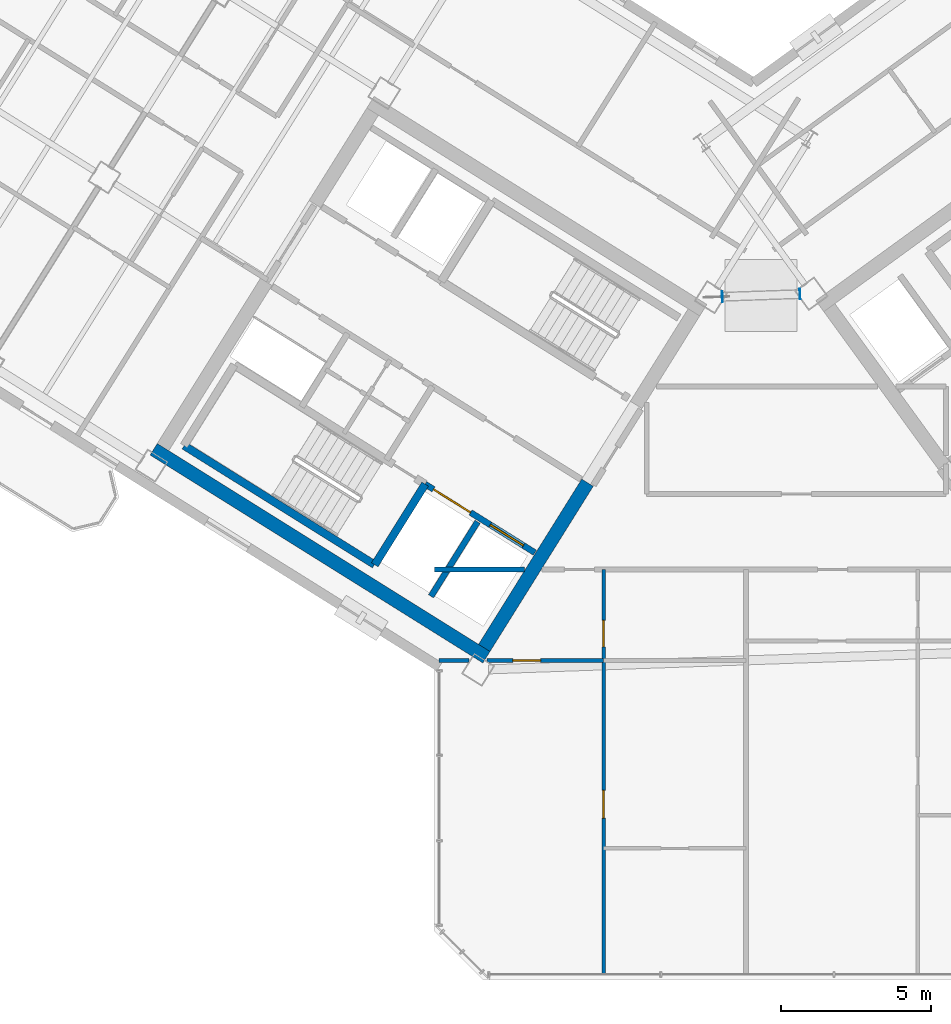
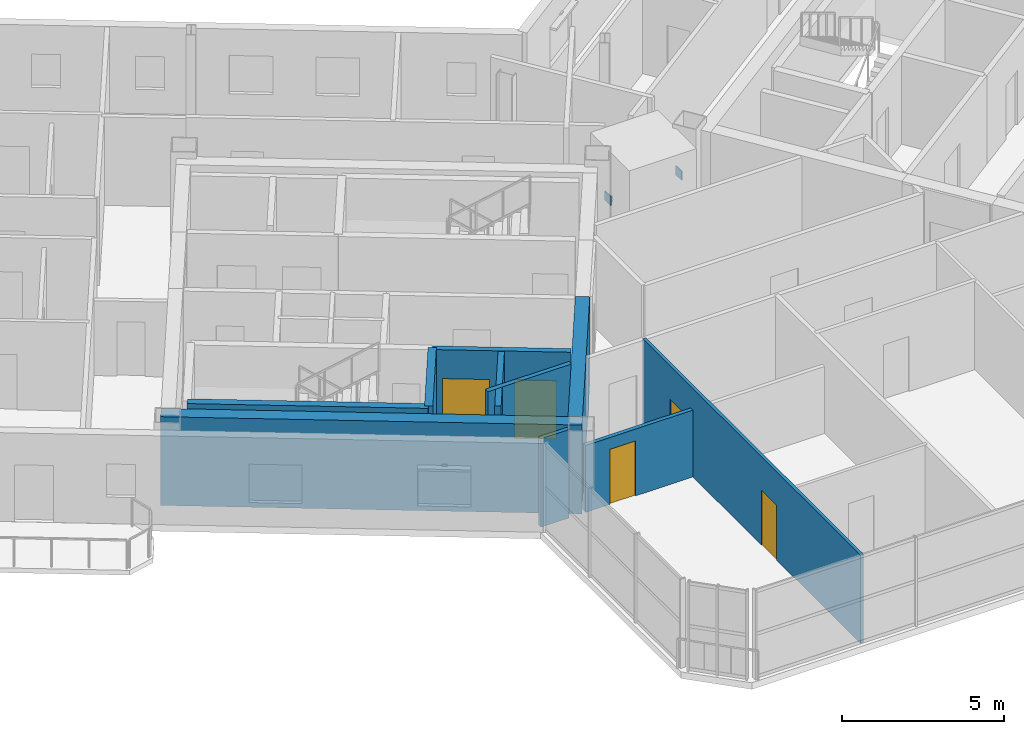
# One storey, part 12 of 23: 10 walls, 5 doors, 2 plates, 5 openings.
"""IFC4 building model written with IfcOpenShell, lengths in metres."""

from ifc_helpers import new_model, si_unit, direction, frame, frame_2d, origin, origin_2d, place, context, subcontext, project, spatial, rectangle, extrude, source, transform, mapped, material, layer, layer_set, type_object, element, fill, save


model = new_model("IFC4")

# Units and contexts
model_context = context("Model", 3, precision=1e-05, world=origin(), true_north=direction((0.0, 1.0)))
body_context = subcontext(model_context, "Body", "Model", "MODEL_VIEW")
ifc_project = project(units=[si_unit("LENGTHUNIT", "METRE"), si_unit("AREAUNIT", "SQUARE_METRE"), si_unit("VOLUMEUNIT", "CUBIC_METRE"), si_unit("PLANEANGLEUNIT", "RADIAN"), si_unit("MASSUNIT", "GRAM", prefix="KILO")], contexts=[model_context])

# Site, building, storey
site_placement = place(None, origin())
site = spatial("IfcSite", under=ifc_project, at=site_placement, CompositionType="ELEMENT")
building_placement = place(site_placement, origin())
building = spatial("IfcBuilding", under=site, at=building_placement, Name="Tlacorven Tower", CompositionType="ELEMENT")
storey_placement = place(building_placement, frame((0.0, 0.0, 218.39990234375)))
storey = spatial("IfcBuildingStorey", under=building, at=storey_placement, Name="L55", CompositionType="ELEMENT", Elevation=218.39990234375)

# Plates
ifc_material_1 = material(Name="Steel S460M", Category="steel")
ifc_layer_1 = layer(ifc_material_1, 0.02392578125)
ifc_layer_set_1 = layer_set([ifc_layer_1], Name="Steel S460M")
plate_type = type_object("IfcPlateType", Name="PL-CAP-END1", PredefinedType="USERDEFINED", material=ifc_layer_set_1)
shared_shape_1 = source(origin(), body_context, "Body", "SweptSolid", [
    extrude(rectangle(XDim=0.02392578125, YDim=0.35302734375, at=origin_2d()), origin(), (0.0, 0.0, 1.0), 0.35302734375),
])
for number, where, z_axis, x_axis, name in (
    (1, (41.162841796875, 24.481689453125, 1.573486328125), (0.0, 0.0, 1.0), (0.999390830681, 0.034899391837, 0.0), "L55 hollow end cap plate TRB-L55-RING 1"),
    (2, (43.743896484375, 24.57177734375, 1.573486328125), (0.0, 0.0, 1.0), (0.999390830681, 0.034899391837, 0.0), "L55 hollow end cap plate TRB-L55-RING 2"),
):
    element("IfcPlate", number, at=place(storey_placement, frame(where, z_axis=z_axis, x_axis=x_axis)), inside=storey, type_object=plate_type, Name=name, ObjectType="END PLATE", PredefinedType="USERDEFINED", context=body_context, shape_type="MappedRepresentation", body=[
        mapped(shared_shape_1, transform((0.0, 0.0, 0.0), scale=1.0)),
    ])

# Walls
ifc_material_2 = material(Name="Concrete C50/60", Category="concrete")
ifc_layer_2 = layer(ifc_material_2, 0.449951171875)
ifc_layer_set_2 = layer_set([ifc_layer_2], Name="Concrete C50/60")
wall_type_1 = type_object("IfcWallType", Name="WL-COR-450", PredefinedType="SHEAR", material=ifc_layer_set_2)
wall_1_placement = place(storey_placement, frame((33.32373046875, 12.5029296875, 0.0), z_axis=(0.0, 0.0, 1.0), x_axis=(-0.848043529849, 0.529926571782, 0.0)))
element("IfcWall", 3, at=wall_1_placement, inside=storey, type_object=wall_type_1, Name="L55 W core shear wall S2", PredefinedType="SHEAR", context=body_context, shape_type="SweptSolid", body=[
    extrude(rectangle(XDim=13.039794921875, YDim=0.449951171875, at=frame_2d((6.52001953125, 0.0))), origin(), (0.0, 0.0, 1.0), 3.35009765625),
])
wall_2_placement = place(storey_placement, frame((36.683349609375, 18.30419921875, 0.0), z_axis=(0.0, 0.0, 1.0), x_axis=(-0.529904039071, -0.848057609704, 0.0)))
element("IfcWall", 4, at=wall_2_placement, inside=storey, type_object=wall_type_1, Name="L55 W core end wall E1.2", PredefinedType="SHEAR", context=body_context, shape_type="SweptSolid", body=[
    extrude(rectangle(XDim=6.47509765625, YDim=0.449951171875, at=frame_2d((3.237548828125, 0.0))), origin(), (0.0, 0.0, 1.0), 3.35009765625),
])
ifc_material_3 = material(Name="Gypsum plasterboard acoustic partition", Category="gypsum")
ifc_layer_3 = layer(ifc_material_3, 0.159912109375)
ifc_layer_set_3 = layer_set([ifc_layer_3], Name="Gypsum plasterboard acoustic partition")
wall_type_2 = type_object("IfcWallType", Name="WL-DEM-160", PredefinedType="PARTITIONING", material=ifc_layer_set_3)
wall_3_placement = place(storey_placement, frame((31.60009765625, 15.419921875, 0.0), z_axis=(0.0, 0.0, 1.0), x_axis=(1.0, 0.0, 0.0)))
element("IfcWall", 5, at=wall_3_placement, inside=storey, type_object=wall_type_2, Name="L55 Knuckle Corridor South Wall", PredefinedType="PARTITIONING", context=body_context, shape_type="SweptSolid", body=[
    extrude(rectangle(XDim=2.984130859375, YDim=0.159912109375, at=frame_2d((1.4921875, 0.0))), origin(), (0.0, 0.0, 1.0), 3.340087890625),
])

# Wall, openings, doors
ifc_material_4 = material(Name="Gypsum plasterboard partition", Category="gypsum")
ifc_layer_4 = layer(ifc_material_4, 0.110107421875)
ifc_layer_set_4 = layer_set([ifc_layer_4], Name="Gypsum plasterboard partition")
wall_type_3 = type_object("IfcWallType", Name="WL-INT-110", PredefinedType="PARTITIONING", material=ifc_layer_set_4)
wall_4_placement = place(storey_placement, frame((37.221923828125, 1.9599609375, 0.0), z_axis=(0.0, 0.0, 1.0), x_axis=(0.0, 1.0, 0.0)))
wall_4 = element("IfcWall", 6, at=wall_4_placement, inside=storey, type_object=wall_type_3, Name="L55 partition 69", PredefinedType="PARTITIONING", context=body_context, shape_type="SweptSolid", body=[
    extrude(rectangle(XDim=13.4599609375, YDim=0.110107421875, at=frame_2d((6.72998046875, 0.0))), origin(), (0.0, 0.0, 1.0), 3.340087890625),
])
opening_1_placement = place(wall_4_placement, frame((5.199951171875, 0.0, 0.0)))
opening_1 = element("IfcOpeningElement", 7, at=opening_1_placement, cuts=wall_4, Name="Opening D12", PredefinedType="OPENING", context=body_context, shape_type="SweptSolid", body=[
    extrude(rectangle(XDim=0.919921875, YDim=2.080078125, at=frame_2d((0.4599609375, 1.0400390625))), frame((0.0, 0.06494140625, 0.0), z_axis=(0.0, -1.0, 0.0), x_axis=(1.0, 0.0, 0.0)), (0.0, 0.0, 1.0), 0.130126953125),
])
opening_2_placement = place(wall_4_placement, frame((10.889892578125, 0.0, 0.0)))
opening_2 = element("IfcOpeningElement", 8, at=opening_2_placement, cuts=wall_4, Name="Opening D13", PredefinedType="OPENING", context=body_context, shape_type="SweptSolid", body=[
    extrude(rectangle(XDim=0.8798828125, YDim=2.080078125, at=frame_2d((0.43994140625, 1.0400390625))), frame((0.0, 0.06494140625, 0.0), z_axis=(0.0, -1.0, 0.0), x_axis=(1.0, 0.0, 0.0)), (0.0, 0.0, 1.0), 0.130126953125),
])
ifc_material_5 = material(Name="Powder-coated aluminium and timber door", Category="wood")
door_type_1 = type_object("IfcDoorType", Name="DR-INT-WET-0880", OperationType="NOTDEFINED", PredefinedType="DOOR", material=ifc_material_5)
shared_shape_2 = source(origin(), body_context, "Body", "SweptSolid", [
    extrude(rectangle(XDim=0.8798828125, YDim=2.080078125, at=frame_2d((0.43994140625, 1.0400390625))), frame((0.0, 0.02490234375, 0.0), z_axis=(0.0, -1.0, 0.0), x_axis=(1.0, 0.0, 0.0)), (0.0, 0.0, 1.0), 0.050048828125),
])
door_1_placement = place(opening_2_placement, origin())
door_1 = element("IfcDoor", 9, at=door_1_placement, inside=storey, type_object=door_type_1, Name="L55 door 047", OperationType="SINGLE_SWING_LEFT", OverallHeight=2.080078125, OverallWidth=0.8798828125, PredefinedType="DOOR", context=body_context, shape_type="MappedRepresentation", body=[
    mapped(shared_shape_2, transform((0.0, 0.0, 0.0), scale=1.0)),
])
fill(opening_2, door_1)
door_type_2 = type_object("IfcDoorType", Name="DR-INT-ROOM-0920", OperationType="NOTDEFINED", PredefinedType="DOOR", material=ifc_material_5)
shared_shape_3 = source(origin(), body_context, "Body", "SweptSolid", [
    extrude(rectangle(XDim=0.919921875, YDim=2.080078125, at=frame_2d((0.4599609375, 1.0400390625))), frame((0.0, 0.02490234375, 0.0), z_axis=(0.0, -1.0, 0.0), x_axis=(1.0, 0.0, 0.0)), (0.0, 0.0, 1.0), 0.050048828125),
])
door_2_placement = place(opening_1_placement, origin())
door_2 = element("IfcDoor", 10, at=door_2_placement, inside=storey, type_object=door_type_2, Name="L55 door 043", OperationType="SINGLE_SWING_LEFT", OverallHeight=2.080078125, OverallWidth=0.919921875, PredefinedType="DOOR", context=body_context, shape_type="MappedRepresentation", body=[
    mapped(shared_shape_3, transform((0.0, 0.0, 0.0), scale=1.0)),
])
fill(opening_1, door_2)

# Wall
ifc_material_6 = material(Name="Moisture-resistant gypsum plumbing wall", Category="gypsum")
ifc_layer_5 = layer(ifc_material_6, 0.139892578125)
ifc_layer_set_5 = layer_set([ifc_layer_5], Name="Moisture-resistant gypsum plumbing wall")
wall_type_4 = type_object("IfcWallType", Name="WL-PLM-140", PredefinedType="PLUMBINGWALL", material=ifc_layer_set_5)
wall_5_placement = place(storey_placement, frame((31.739990234375, 12.389892578125, 0.0), z_axis=(0.0, 0.0, 1.0), x_axis=(1.0, 0.0, 0.0)))
element("IfcWall", 11, at=wall_5_placement, inside=storey, type_object=wall_type_4, Name="L55 partition 70", PredefinedType="PLUMBINGWALL", context=body_context, shape_type="SweptSolid", body=[
    extrude(rectangle(XDim=1.009765625, YDim=0.139892578125, at=frame_2d((0.5048828125, 0.0))), origin(), (0.0, 0.0, 1.0), 3.340087890625),
])

# Wall, opening, door
wall_6_placement = place(storey_placement, frame((33.338623046875, 12.389892578125, 0.0), z_axis=(0.0, 0.0, 1.0), x_axis=(1.0, 0.0, 0.0)))
wall_6 = element("IfcWall", 12, at=wall_6_placement, inside=storey, type_object=wall_type_4, Name="L55 partition 70", PredefinedType="PLUMBINGWALL", context=body_context, shape_type="SweptSolid", body=[
    extrude(rectangle(XDim=3.88330078125, YDim=0.139892578125, at=frame_2d((1.941650390625, 0.0))), origin(), (0.0, 0.0, 1.0), 2.525146484375),
])
opening_3_placement = place(wall_6_placement, frame((0.862548828125, 0.0, 0.0)))
opening_3 = element("IfcOpeningElement", 13, at=opening_3_placement, cuts=wall_6, Name="Opening D12", PredefinedType="OPENING", context=body_context, shape_type="SweptSolid", body=[
    extrude(rectangle(XDim=0.919921875, YDim=2.080078125, at=frame_2d((0.4599609375, 1.0400390625))), frame((0.0, 0.080078125, 0.0), z_axis=(0.0, -1.0, 0.0), x_axis=(1.0, 0.0, 0.0)), (0.0, 0.0, 1.0), 0.159912109375),
])
door_3_placement = place(opening_3_placement, frame((0.919921875, 0.0, 0.0), z_axis=(0.0, 0.0, 1.0), x_axis=(-1.0, 0.0, 0.0)))
door_3 = element("IfcDoor", 14, at=door_3_placement, inside=storey, type_object=door_type_2, Name="L55 door 046", OperationType="SINGLE_SWING_RIGHT", OverallHeight=2.080078125, OverallWidth=0.919921875, PredefinedType="DOOR", context=body_context, shape_type="MappedRepresentation", body=[
    mapped(shared_shape_3, transform((0.0, 0.0, 0.0), scale=1.0)),
])
fill(opening_3, door_3)

# Wall, openings, doors
ifc_material_7 = material(Name="Concrete C40/50", Category="concrete")
ifc_layer_6 = layer(ifc_material_7, 0.199951171875)
ifc_layer_set_6 = layer_set([ifc_layer_6], Name="Concrete C40/50")
wall_type_5 = type_object("IfcWallType", Name="WL-SHF-200", PredefinedType="STANDARD", material=ifc_layer_set_6)
wall_7_placement = place(storey_placement, frame((34.93310546875, 15.978271484375, 0.0), z_axis=(0.0, 0.0, 1.0), x_axis=(-0.848055739377, 0.529907032327, 0.0)))
wall_7 = element("IfcWall", 15, at=wall_7_placement, inside=storey, type_object=wall_type_5, Name="L55 Core W Firefighting Lift Shaft Front Wall", PredefinedType="STANDARD", context=body_context, shape_type="SweptSolid", body=[
    extrude(rectangle(XDim=4.298095703125, YDim=0.199951171875, at=frame_2d((2.14892578125, 0.0))), origin(), (0.0, 0.0, 1.0), 3.340087890625),
])
opening_4_placement = place(wall_7_placement, frame((0.447998046875, 0.0, 0.0)))
opening_4 = element("IfcOpeningElement", 16, at=opening_4_placement, cuts=wall_7, Name="Opening LD03", PredefinedType="OPENING", context=body_context, shape_type="SweptSolid", body=[
    extrude(rectangle(XDim=1.300048828125, YDim=2.199951171875, at=frame_2d((0.64990234375, 1.10009765625))), frame((0.0, 0.10986328125, 0.0), z_axis=(0.0, -1.0, 0.0), x_axis=(1.0, 0.0, 0.0)), (0.0, 0.0, 1.0), 0.219970703125),
])
opening_5_placement = place(wall_7_placement, frame((2.52294921875, 0.0, 0.0)))
opening_5 = element("IfcOpeningElement", 17, at=opening_5_placement, cuts=wall_7, Name="Opening LD04", PredefinedType="OPENING", context=body_context, shape_type="SweptSolid", body=[
    extrude(rectangle(XDim=1.449951171875, YDim=2.25, at=frame_2d((0.72509765625, 1.125))), frame((0.0, 0.10986328125, 0.0), z_axis=(0.0, -1.0, 0.0), x_axis=(1.0, 0.0, 0.0)), (0.0, 0.0, 1.0), 0.219970703125),
])
ifc_material_8 = material(Name="Fire-rated steel door assembly", Category="steel")
door_type_3 = type_object("IfcDoorType", Name="DR-LFT-SLID-1300", OperationType="DOUBLE_DOOR_SLIDING", PredefinedType="DOOR", material=ifc_material_8)
shared_shape_4 = source(origin(), body_context, "Body", "SweptSolid", [
    extrude(rectangle(XDim=1.300048828125, YDim=2.199951171875, at=frame_2d((0.64990234375, 1.10009765625))), frame((0.0, 0.02490234375, 0.0), z_axis=(0.0, -1.0, 0.0), x_axis=(1.0, 0.0, 0.0)), (0.0, 0.0, 1.0), 0.050048828125),
])
door_4_placement = place(opening_4_placement, origin())
door_4 = element("IfcDoor", 18, at=door_4_placement, inside=storey, type_object=door_type_3, Name="L55 Lift FFL-W1 Sliding Landing Door", OperationType="DOUBLE_DOOR_SLIDING", OverallHeight=2.199951171875, OverallWidth=1.300048828125, PredefinedType="DOOR", context=body_context, shape_type="MappedRepresentation", body=[
    mapped(shared_shape_4, transform((0.0, 0.0, 0.0), scale=1.0)),
])
fill(opening_4, door_4)
door_type_4 = type_object("IfcDoorType", Name="DR-LFT-SLID-1450", OperationType="DOUBLE_DOOR_SLIDING", PredefinedType="DOOR", material=ifc_material_8)
shared_shape_5 = source(origin(), body_context, "Body", "SweptSolid", [
    extrude(rectangle(XDim=1.449951171875, YDim=2.25, at=frame_2d((0.72509765625, 1.125))), frame((0.0, 0.02490234375, 0.0), z_axis=(0.0, -1.0, 0.0), x_axis=(1.0, 0.0, 0.0)), (0.0, 0.0, 1.0), 0.050048828125),
])
door_5_placement = place(opening_5_placement, origin())
door_5 = element("IfcDoor", 19, at=door_5_placement, inside=storey, type_object=door_type_4, Name="L55 Lift SVL-W1 Sliding Landing Door", OperationType="DOUBLE_DOOR_SLIDING", OverallHeight=2.25, OverallWidth=1.449951171875, PredefinedType="DOOR", context=body_context, shape_type="MappedRepresentation", body=[
    mapped(shared_shape_5, transform((0.0, 0.0, 0.0), scale=1.0)),
])
fill(opening_5, door_5)

# Walls
wall_8_placement = place(storey_placement, frame((33.02880859375, 17.003173828125, 0.0), z_axis=(0.0, 0.0, 1.0), x_axis=(-0.529916267533, -0.848049968695, 0.0)))
element("IfcWall", 20, at=wall_8_placement, inside=storey, type_object=wall_type_5, Name="L55 partition 11", PredefinedType="STANDARD", context=body_context, shape_type="SweptSolid", body=[
    extrude(rectangle(XDim=2.919921875, YDim=0.199951171875, at=frame_2d((1.4599609375, 0.0))), origin(), (0.0, 0.0, 1.0), 3.340087890625),
])
ifc_layer_7 = layer(ifc_material_2, 0.260009765625)
ifc_layer_set_7 = layer_set([ifc_layer_7], Name="Concrete C50/60")
wall_type_6 = type_object("IfcWallType", Name="WL-STW-260", PredefinedType="SHEAR", material=ifc_layer_set_7)
wall_9_placement = place(storey_placement, frame((29.60498046875, 15.581298828125, 0.0), z_axis=(0.0, 0.0, 1.0), x_axis=(-0.848036911448, 0.529937163087, 0.0)))
element("IfcWall", 21, at=wall_9_placement, inside=storey, type_object=wall_type_6, Name="L55 Stair W1 Far Shear Wall", PredefinedType="SHEAR", context=body_context, shape_type="SweptSolid", body=[
    extrude(rectangle(XDim=7.4599609375, YDim=0.260009765625, at=frame_2d((3.72998046875, 0.0))), origin(), (0.0, 0.0, 1.0), 3.35009765625),
])
wall_10_placement = place(storey_placement, frame((31.2880859375, 18.255859375, 0.0), z_axis=(0.0, 0.0, 1.0), x_axis=(-0.529943379326, -0.848033026897, 0.0)))
element("IfcWall", 22, at=wall_10_placement, inside=storey, type_object=wall_type_6, Name="L55 Stair W1 West Shear Wall", PredefinedType="SHEAR", context=body_context, shape_type="SweptSolid", body=[
    extrude(rectangle(XDim=3.159912109375, YDim=0.260009765625, at=frame_2d((1.580078125, 0.0))), origin(), (0.0, 0.0, 1.0), 3.35009765625),
])

save(model, "model.ifc")
